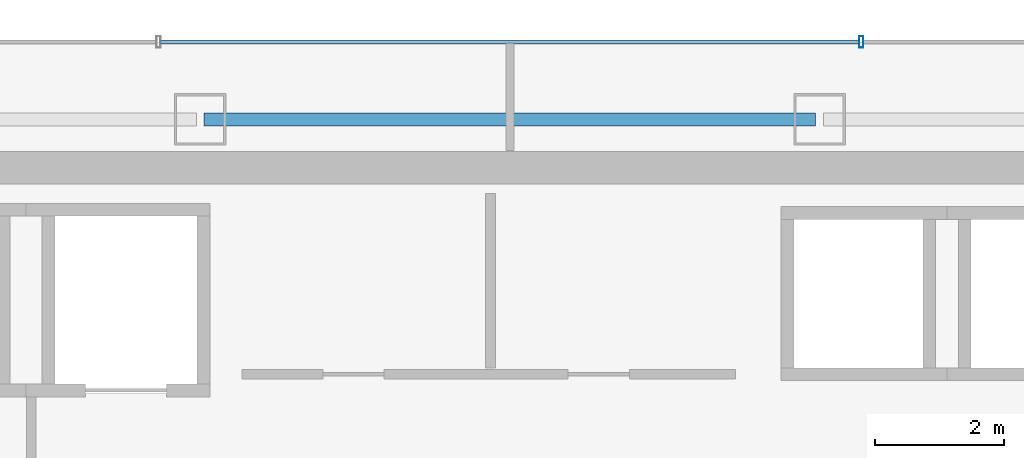
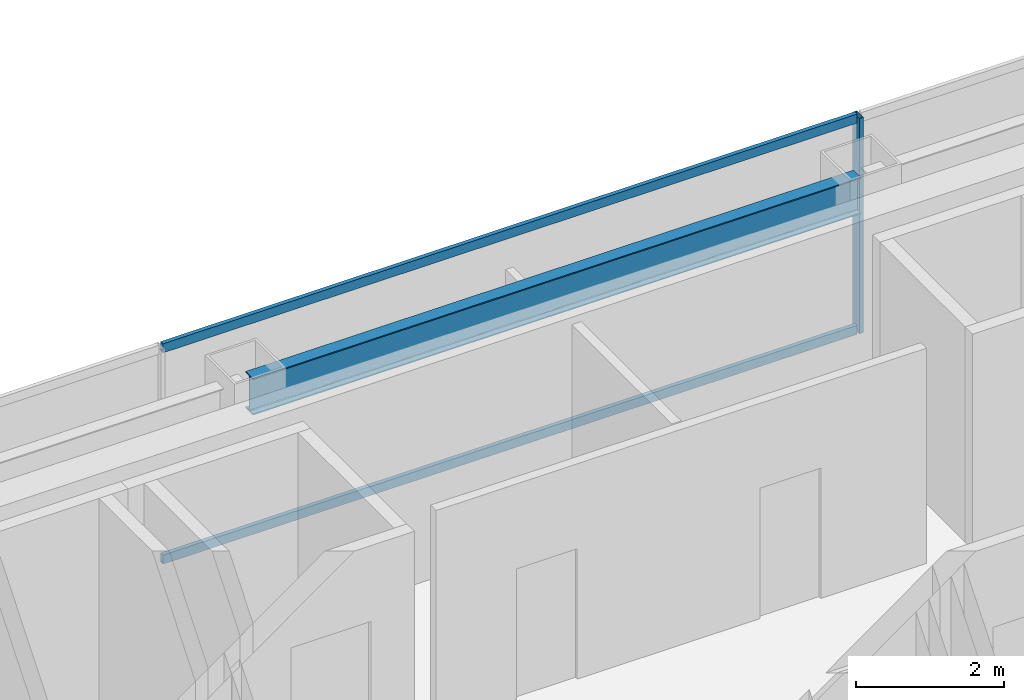
# One storey, part 25 of 36: 3 members, 1 beam, 1 element without a shape of its own.
"""IFC4 building model written with IfcOpenShell, lengths in metres."""

from ifc_helpers import new_model, si_unit, direction, frame, origin, origin_2d, place, context, subcontext, project, spatial, hollow_rectangle, i_section, extrude, material, material_profile, profile_set, type_object, element, aggregate, save


model = new_model("IFC4")

# Units and contexts
model_context = context("Model", 3, precision=1e-05, world=origin(), true_north=direction((0.0, 1.0)))
body_context = subcontext(model_context, "Body", "Model", "MODEL_VIEW")
ifc_project = project(units=[si_unit("LENGTHUNIT", "METRE"), si_unit("AREAUNIT", "SQUARE_METRE"), si_unit("VOLUMEUNIT", "CUBIC_METRE"), si_unit("PLANEANGLEUNIT", "RADIAN"), si_unit("MASSUNIT", "GRAM", prefix="KILO")], contexts=[model_context])

# Site, building, storey
site_placement = place(None, origin())
site = spatial("IfcSite", under=ifc_project, at=site_placement, CompositionType="ELEMENT")
building_placement = place(site_placement, origin())
building = spatial("IfcBuilding", under=site, at=building_placement, Name="Saevonmaru Cultural Tower", CompositionType="ELEMENT")
storey_placement = place(building_placement, frame((0.0, 0.0, 198.0)))
storey = spatial("IfcBuildingStorey", under=building, at=storey_placement, Name="L45", CompositionType="ELEMENT", Elevation=198.0)

# Beam
ifc_material_1 = material(Name="Steel SM355", Category="steel")
ifc_material_profile_1 = material_profile(ifc_material_1, i_section(OverallWidth=0.199951171875, OverallDepth=0.60009765625, WebThickness=0.010986328125, FlangeThickness=0.01708984375, FilletRadius=0.02197265625, at=origin_2d()), Name="H-600x200x11x17")
ifc_profile_set_1 = profile_set([ifc_material_profile_1], Name="Steel SM355")
beam_type = type_object("IfcBeamType", Name="BM-SP-H600", PredefinedType="SPANDREL", material=ifc_profile_set_1)
beam_placement = place(storey_placement, frame((25.260009765625, 54.800048828125, 3.25), z_axis=(1.0, 0.0, 0.0), x_axis=(0.0, 1.0, 0.0)))
element("IfcBeam", 1, at=beam_placement, inside=storey, type_object=beam_type, Name="L45 North Spine Girder 3", PredefinedType="SPANDREL", context=body_context, shape_type="SweptSolid", body=[
    extrude(i_section(OverallWidth=0.199951171875, OverallDepth=0.60009765625, WebThickness=0.010986328125, FlangeThickness=0.01708984375, FilletRadius=0.02197265625, at=origin_2d()), origin(), (0.0, 0.0, 1.0), 9.47998046875),
])

# Curtain wall, members
ifc_material_2 = material(Name="Satin Bronze Anodised Aluminium", Category="aluminium")
curtain_wall_type = type_object("IfcCurtainWallType", Name="CW-TYP-B", PredefinedType="NOTDEFINED", material=ifc_material_2)
curtain_wall_placement = place(storey_placement, origin())
curtain_wall = element("IfcCurtainWall", 2, at=curtain_wall_placement, inside=storey, type_object=curtain_wall_type, Name="L45 North Spine Unitised Curtain Wall E10B", PredefinedType="NOTDEFINED")
ifc_material_profile_2 = material_profile(ifc_material_2, hollow_rectangle(XDim=0.06494140625, YDim=0.179931640625, WallThickness=0.00390625, at=origin_2d()), Name="ALU-MULL-180x65x4")
ifc_profile_set_2 = profile_set([ifc_material_profile_2], Name="Satin Bronze Anodised Aluminium")
member_type_1 = type_object("IfcMemberType", Name="ML-CW-180x65", PredefinedType="MULLION", material=ifc_profile_set_2)
member_1_placement = place(storey_placement, frame((35.44677734375, 56.0, 0.0), z_axis=(0.0, 0.0, 1.0), x_axis=(-1.0, 0.0, 0.0)))
member_1 = element("IfcMember", 3, at=member_1_placement, type_object=member_type_1, Name="CW-TW-L45-E10B mullion 2", PredefinedType="MULLION", context=body_context, shape_type="SweptSolid", body=[
    extrude(hollow_rectangle(XDim=0.06494140625, YDim=0.179931640625, WallThickness=0.00390625, at=origin_2d()), origin(), (0.0, 0.0, 1.0), 3.550048828125),
])
ifc_material_profile_3 = material_profile(ifc_material_2, hollow_rectangle(XDim=0.06494140625, YDim=0.14990234375, WallThickness=0.00390625, at=origin_2d()), Name="ALU-TRAN-150x65x4")
ifc_profile_set_3 = profile_set([ifc_material_profile_3], Name="Satin Bronze Anodised Aluminium")
member_type_2 = type_object("IfcMemberType", Name="TR-CW-150x65", PredefinedType="USERDEFINED", material=ifc_profile_set_3)
member_2_placement = place(storey_placement, frame((35.4140625, 56.0, 0.032470703125), z_axis=(-1.0, 0.0, 0.0), x_axis=(0.0, -1.0, 0.0)))
member_2 = element("IfcMember", 4, at=member_2_placement, type_object=member_type_2, Name="CW-TW-L45-E10B transom 2.1", ObjectType="TRANSOM", PredefinedType="USERDEFINED", context=body_context, shape_type="SweptSolid", body=[
    extrude(hollow_rectangle(XDim=0.06494140625, YDim=0.14990234375, WallThickness=0.00390625, at=origin_2d()), origin(), (0.0, 0.0, 1.0), 10.828125),
])
member_3_placement = place(storey_placement, frame((35.4140625, 56.0, 3.517578125), z_axis=(-1.0, 0.0, 0.0), x_axis=(0.0, -1.0, 0.0)))
member_3 = element("IfcMember", 5, at=member_3_placement, type_object=member_type_2, Name="CW-TW-L45-E10B transom 2.2", ObjectType="TRANSOM", PredefinedType="USERDEFINED", context=body_context, shape_type="SweptSolid", body=[
    extrude(hollow_rectangle(XDim=0.06494140625, YDim=0.14990234375, WallThickness=0.00390625, at=origin_2d()), origin(), (0.0, 0.0, 1.0), 10.828125),
])
aggregate(curtain_wall, [member_1, member_2, member_3])

save(model, "model.ifc")
